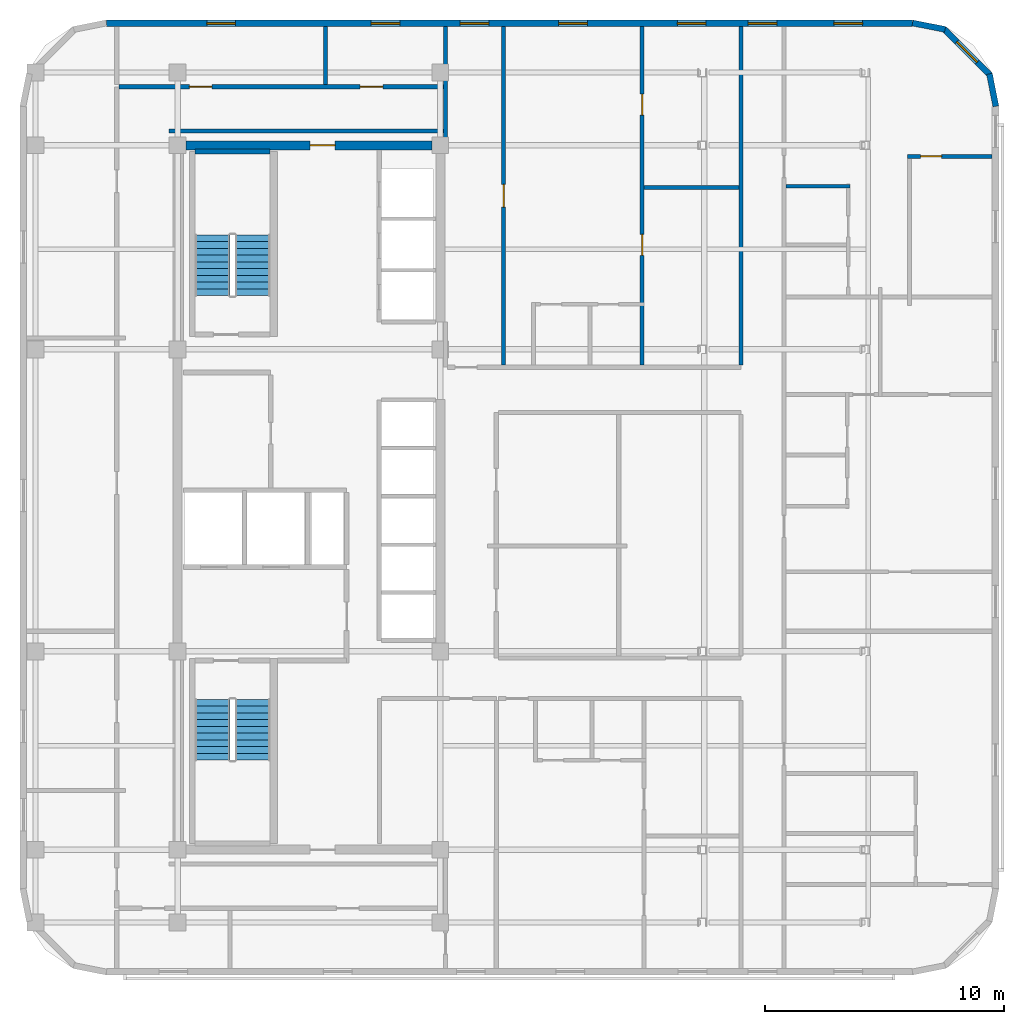
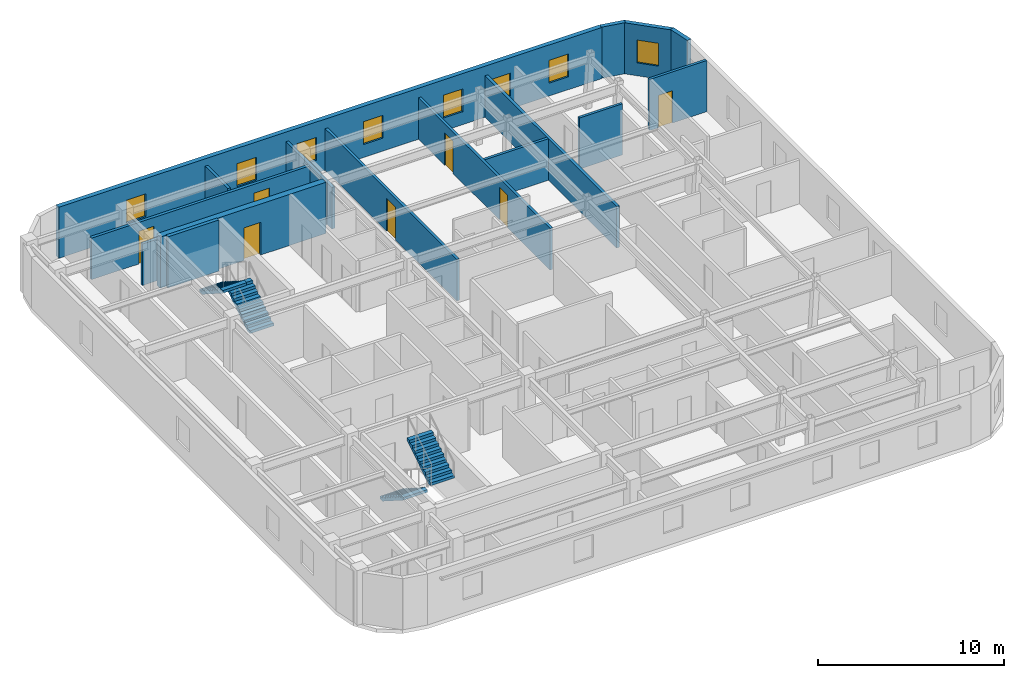
# One storey, part 6 of 10: 16 walls, 8 windows, 7 doors, 4 stair flights, 15 openings, 2 elements without a shape of their own.
"""IFC4 building model written with IfcOpenShell, lengths in metres."""

import ifcopenshell
import ifcopenshell.guid

model = None  # the IFC model being written
_history = None  # IfcOwnerHistory: only IFC2X3 demands one
_inside = {}  # id of a spatial element -> (the spatial element, [elements in it])
_under = {}  # id of a project, library or spatial element -> (it, [spatial elements below it])
_declared = {}  # id of a project -> (the project, [libraries it declares])
_typed = {}  # id of a type object -> (the type object, [elements of that type])
_made_of = {}  # id of a material, layer set ... -> (it, [elements and type objects made of it])


def new_model(schema):
    """Start an empty IFC model of exactly this schema.

    Asked for "IFC4X3", IfcOpenShell would pick the latest addendum, in which some entities
    have other attributes; the version numbers below select the first issue.
    IFC2X3 requires an IfcOwnerHistory on every rooted entity: one is made here for all.
    """
    global model, _history
    if schema == "IFC4X3":
        model = ifcopenshell.file(schema_version=(4, 3, 0, 0))
    else:
        model = ifcopenshell.file(schema=schema)
    _inside.clear()
    _under.clear()
    _declared.clear()
    _typed.clear()
    _made_of.clear()
    _history = None
    if model.schema == "IFC2X3":
        org = make("IfcOrganization", Name="unknown")
        user = make(
            "IfcPersonAndOrganization",
            ThePerson=make("IfcPerson", FamilyName="unknown"),
            TheOrganization=org,
        )
        app = make(
            "IfcApplication",
            ApplicationDeveloper=org,
            Version="unknown",
            ApplicationFullName="unknown",
            ApplicationIdentifier="unknown",
        )
        _history = make(
            "IfcOwnerHistory",
            OwningUser=user,
            OwningApplication=app,
            ChangeAction="ADDED",
            CreationDate=0,
        )
    return model


def make(cls, **values):
    """One entity of the class cls with the attributes given. An attribute that is None is left unset."""
    return model.create_entity(
        cls, **{name: value for name, value in values.items() if value is not None}
    )


def rooted(cls, **values):
    """An entity with a GlobalId (a new one), such as an element, a storey or a relation."""
    return make(cls, GlobalId=ifcopenshell.guid.new(), OwnerHistory=_history, **values)


def si_unit(unit_type, name, prefix=None):
    """IfcSIUnit, for example si_unit("LENGTHUNIT", "METRE", prefix="MILLI")."""
    return make("IfcSIUnit", UnitType=unit_type, Prefix=prefix, Name=name)


def assignment(units):
    """IfcUnitAssignment: the units of a project."""
    return None if units is None else make("IfcUnitAssignment", Units=units)


def point(xyz):
    """IfcCartesianPoint."""
    return None if xyz is None else make("IfcCartesianPoint", Coordinates=xyz)


def direction(xyz):
    """IfcDirection."""
    return None if xyz is None else make("IfcDirection", DirectionRatios=xyz)


def frame(location, z_axis=None, x_axis=None):
    """IfcAxis2Placement3D, a coordinate frame: its origin and axes. An axis left out is left unset."""
    return make(
        "IfcAxis2Placement3D",
        Location=point(location),
        Axis=direction(z_axis),
        RefDirection=direction(x_axis),
    )


def frame_2d(location, x_axis=None):
    """IfcAxis2Placement2D, a coordinate frame in the plane: its origin and x axis."""
    return make(
        "IfcAxis2Placement2D", Location=point(location), RefDirection=direction(x_axis)
    )


def origin():
    """The frame at (0, 0, 0) with its axes left unset."""
    return frame((0.0, 0.0, 0.0))


def place(relative_to, where):
    """IfcLocalPlacement: puts the frame where relative to a parent placement (None: the world)."""
    return make(
        "IfcLocalPlacement", PlacementRelTo=relative_to, RelativePlacement=where
    )


def context(
    kind, dimensions, precision=None, world=None, true_north=None, identifier=None
):
    """IfcGeometricRepresentationContext, for example the 3D "Model" context."""
    return make(
        "IfcGeometricRepresentationContext",
        ContextIdentifier=identifier,
        ContextType=kind,
        CoordinateSpaceDimension=dimensions,
        Precision=precision,
        WorldCoordinateSystem=world,
        TrueNorth=true_north,
    )


def subcontext(parent, identifier, kind, view, scale=None):
    """IfcGeometricRepresentationSubContext, for example "Body" below "Model"."""
    return make(
        "IfcGeometricRepresentationSubContext",
        ContextIdentifier=identifier,
        ContextType=kind,
        ParentContext=parent,
        TargetScale=scale,
        TargetView=view,
    )


def project(units=None, contexts=None):
    """IfcProject with its units and contexts."""
    return rooted(
        "IfcProject",
        Name="project",
        RepresentationContexts=contexts,
        UnitsInContext=assignment(units),
    )


def spatial(cls, under=None, at=None, **own):
    """A site, building, storey or space (cls), placed at a placement, below another one or the project."""
    s = rooted(cls, ObjectPlacement=at, **own)
    if under is not None:
        _under.setdefault(under.id(), (under, []))[1].append(s)
    return s


def polyline(points):
    """IfcPolyline through the points."""
    return make("IfcPolyline", Points=[point(p) for p in points])


def profile(cls, at=None, kind="AREA", **sizes):
    """A parametric profile (cls). Its sizes go by their IFC names, for example OverallWidth=200.0."""
    return make(cls, ProfileType=kind, Position=at, **sizes)


def rectangle(**sizes):
    """IfcRectangleProfileDef."""
    return profile("IfcRectangleProfileDef", **sizes)


def outline(outer, holes=None, kind="AREA"):
    """IfcArbitraryClosedProfileDef: a profile drawn as a closed curve; with holes, ...WithVoids."""
    if holes is None:
        return make("IfcArbitraryClosedProfileDef", ProfileType=kind, OuterCurve=outer)
    return make(
        "IfcArbitraryProfileDefWithVoids",
        ProfileType=kind,
        OuterCurve=outer,
        InnerCurves=holes,
    )


def extrude(swept, where, along, depth):
    """IfcExtrudedAreaSolid: the profile swept, set in the frame where, extruded along a direction by depth."""
    return make(
        "IfcExtrudedAreaSolid",
        SweptArea=swept,
        Position=where,
        ExtrudedDirection=direction(along),
        Depth=depth,
    )


def shape(context_of_items, identifier, shape_type, items):
    """IfcShapeRepresentation: the items that make up one representation, for example the "Body"."""
    return make(
        "IfcShapeRepresentation",
        ContextOfItems=context_of_items,
        RepresentationIdentifier=identifier,
        RepresentationType=shape_type,
        Items=items,
    )


def material(Name=None, Category=None):
    """IfcMaterial."""
    return make("IfcMaterial", Name=Name, Category=Category)


def layer(
    of_material, thickness, ventilated=None, Name=None, Category=None, Priority=None
):
    """IfcMaterialLayer: one layer of a wall or slab, of a material (None: an air gap)."""
    return make(
        "IfcMaterialLayer",
        Material=of_material,
        LayerThickness=thickness,
        IsVentilated=ventilated,
        Name=Name,
        Category=Category,
        Priority=Priority,
    )


def layer_set(layers, Name=None):
    """IfcMaterialLayerSet."""
    return make("IfcMaterialLayerSet", MaterialLayers=layers, LayerSetName=Name)


def made_of(thing, what):
    """Note that an element or type object is made of a material, layer set ...; save() writes the relation."""
    if what is not None:
        _made_of.setdefault(what.id(), (what, []))[1].append(thing)
    return thing


def type_object(cls, material=None, **own):
    """A type object (cls), such as IfcWallType, which elements share."""
    return made_of(rooted(cls, **own), material)


def element(
    cls,
    number,
    at=None,
    inside=None,
    cuts=None,
    type_object=None,
    material=None,
    context=None,
    identifier="Body",
    shape_type=None,
    held_by="IfcProductDefinitionShape",
    body=None,
    shapes=None,
    **own,
):
    """One element of the class cls, such as IfcWall. Its Tag is "e" and its number.

    at: its placement. inside: the storey or other place that contains it. cuts: it is an
    opening in that element (IfcRelVoidsElement). A single representation is given by context,
    identifier, shape_type and body (its items); several are given by shapes. held_by: the class
    of the entity that holds the representations. save() writes the other relations.
    """
    e = rooted(cls, Tag="e%d" % number, ObjectPlacement=at, **own)
    if body is not None:
        shapes = [shape(context, identifier, shape_type, body)]
    if shapes is not None:
        e.Representation = make(held_by, Representations=shapes)
    if inside is not None:
        _inside.setdefault(inside.id(), (inside, []))[1].append(e)
    if cuts is not None:
        rooted(
            "IfcRelVoidsElement", RelatingBuildingElement=cuts, RelatedOpeningElement=e
        )
    if type_object is not None:
        _typed.setdefault(type_object.id(), (type_object, []))[1].append(e)
    return made_of(e, material)


def fill(opening, filler):
    """IfcRelFillsElement: the door or window that sits in an opening."""
    return rooted(
        "IfcRelFillsElement",
        RelatingOpeningElement=opening,
        RelatedBuildingElement=filler,
    )


def aggregate(whole, parts):
    """IfcRelAggregates: a whole, such as a stair, and the parts it consists of."""
    return rooted("IfcRelAggregates", RelatingObject=whole, RelatedObjects=parts)


def save(model, path):
    """Write the relations noted so far, then the file.

    IfcRelAggregates (storeys below a building ...), IfcRelContainedInSpatialStructure (elements
    in a storey), IfcRelDefinesByType, IfcRelAssociatesMaterial and IfcRelDeclares: one each for
    every whole, place, type object, material and project.
    """
    for whole, parts in _under.values():
        aggregate(whole, parts)
    for where, things in _inside.values():
        rooted(
            "IfcRelContainedInSpatialStructure",
            RelatedElements=things,
            RelatingStructure=where,
        )
    for kind, things in _typed.values():
        rooted("IfcRelDefinesByType", RelatedObjects=things, RelatingType=kind)
    for what, things in _made_of.values():
        rooted("IfcRelAssociatesMaterial", RelatedObjects=things, RelatingMaterial=what)
    for by, libraries in _declared.values():
        rooted("IfcRelDeclares", RelatingContext=by, RelatedDefinitions=libraries)
    model.write(path)


model = new_model("IFC4")

# Units and contexts
model_context = context("Model", 3, precision=1e-05, world=origin(), true_north=direction((0.0, 1.0)))
body_context = subcontext(model_context, "Body", "Model", "MODEL_VIEW")
ifc_project = project(units=[si_unit("LENGTHUNIT", "METRE"), si_unit("AREAUNIT", "SQUARE_METRE"), si_unit("VOLUMEUNIT", "CUBIC_METRE"), si_unit("PLANEANGLEUNIT", "RADIAN"), si_unit("MASSUNIT", "GRAM", prefix="KILO")], contexts=[model_context])

# Site, building, storey
site_placement = place(None, origin())
site = spatial("IfcSite", under=ifc_project, at=site_placement, CompositionType="ELEMENT")
building_placement = place(site_placement, origin())
building = spatial("IfcBuilding", under=site, at=building_placement, Name="Ochreholt Gables", CompositionType="ELEMENT")
storey_placement = place(building_placement, frame((0.0, 0.0, 177.60009765625)))
storey = spatial("IfcBuildingStorey", under=building, at=storey_placement, Name="L46", CompositionType="ELEMENT", Elevation=177.60009765625)

# Wall, opening, door
ifc_material_1 = material(Name="Concrete 50 MPa", Category="concrete")
ifc_layer_1 = layer(ifc_material_1, 0.3798828125, Name="Concrete 50 MPa")
ifc_layer_set_1 = layer_set([ifc_layer_1], Name="Concrete 50 MPa")
wall_type_1 = type_object("IfcWallType", Name="WALL-CSW-380", PredefinedType="SHEAR", material=ifc_layer_set_1)
wall_1_placement = place(storey_placement, frame((24.550048828125, 38.75, 0.0), z_axis=(0.0, 0.0, 1.0), x_axis=(1.0, 0.0, 0.0)))
wall_1 = element("IfcWall", 1, at=wall_1_placement, inside=storey, type_object=wall_type_1, Name="L46 Core North Shear Wall", PredefinedType="SHEAR", context=body_context, shape_type="SweptSolid", body=[
    extrude(rectangle(XDim=10.300048828125, YDim=0.3798828125, at=frame_2d((5.14990234375, 0.0))), origin(), (0.0, 0.0, 1.0), 3.35986328125),
])
opening_1_placement = place(wall_1_placement, frame((5.199951171875, 0.0, 0.0)))
opening_1 = element("IfcOpeningElement", 2, at=opening_1_placement, cuts=wall_1, Name="Opening D-FLB", PredefinedType="OPENING", context=body_context, shape_type="SweptSolid", body=[
    extrude(rectangle(XDim=1.050048828125, YDim=2.14990234375, at=frame_2d((0.52490234375, 1.074951171875))), frame((0.0, 0.199951171875, 0.0), z_axis=(0.0, -1.0, 0.0), x_axis=(1.0, 0.0, 0.0)), (0.0, 0.0, 1.0), 0.39990234375),
])
ifc_material_2 = material(Name="Hollow Metal Steel", Category="steel")
door_type_1 = type_object("IfcDoorType", Name="DR-INT-FLB1050", OperationType="NOTDEFINED", PredefinedType="DOOR", material=ifc_material_2)
door_1_placement = place(opening_1_placement, frame((1.050048828125, 0.0, 0.0), z_axis=(0.0, 0.0, 1.0), x_axis=(-1.0, 0.0, 0.0)))
door_1 = element("IfcDoor", 3, at=door_1_placement, inside=storey, type_object=door_type_1, Name="L46 Door D-C2CRN-L46", OperationType="SINGLE_SWING_RIGHT", OverallHeight=2.14990234375, OverallWidth=1.050048828125, PredefinedType="DOOR", context=body_context, shape_type="SweptSolid", body=[
    extrude(rectangle(XDim=1.050048828125, YDim=2.14990234375, at=frame_2d((0.52490234375, 1.074951171875))), frame((0.0, 0.02490234375, 0.0), z_axis=(0.0, -1.0, 0.0), x_axis=(1.0, 0.0, 0.0)), (0.0, 0.0, 1.0), 0.050048828125),
])
fill(opening_1, door_1)

# Wall, openings, windows
ifc_material_3 = material(Name="Precast concrete 40 MPa", Category="concrete")
ifc_layer_2 = layer(ifc_material_3, 0.280029296875, Name="Precast concrete 40 MPa")
ifc_layer_set_2 = layer_set([ifc_layer_2], Name="Precast concrete 40 MPa")
wall_type_2 = type_object("IfcWallType", Name="WALL-EXT-280", PredefinedType="SOLIDWALL", material=ifc_layer_set_2)
wall_2_placement = place(storey_placement, frame((54.97998046875, 43.860107421875, 0.0), z_axis=(0.0, 0.0, 1.0), x_axis=(-1.0, 0.0, 0.0)))
wall_2 = element("IfcWall", 4, at=wall_2_placement, inside=storey, type_object=wall_type_2, Name="L46 North Exterior Wall", PredefinedType="SOLIDWALL", context=body_context, shape_type="SweptSolid", body=[
    extrude(rectangle(XDim=33.760009765625, YDim=0.280029296875, at=frame_2d((16.8798828125, 0.0))), origin(), (0.0, 0.0, 1.0), 3.35986328125),
])
opening_2_placement = place(wall_2_placement, frame((28.35498046875, 0.0, 0.85009765625)))
opening_2 = element("IfcOpeningElement", 5, at=opening_2_placement, cuts=wall_2, Name="Opening WN-3", PredefinedType="OPENING", context=body_context, shape_type="SweptSolid", body=[
    extrude(rectangle(XDim=1.199951171875, YDim=1.5, at=frame_2d((0.60009765625, 0.75))), frame((0.0, 0.14990234375, 0.0), z_axis=(0.0, -1.0, 0.0), x_axis=(1.0, 0.0, 0.0)), (0.0, 0.0, 1.0), 0.300048828125),
])
opening_3_placement = place(wall_2_placement, frame((21.469970703125, 0.0, 0.85009765625)))
opening_3 = element("IfcOpeningElement", 6, at=opening_3_placement, cuts=wall_2, Name="Opening WN-3", PredefinedType="OPENING", context=body_context, shape_type="SweptSolid", body=[
    extrude(rectangle(XDim=1.199951171875, YDim=1.5, at=frame_2d((0.60009765625, 0.75))), frame((0.0, 0.14990234375, 0.0), z_axis=(0.0, -1.0, 0.0), x_axis=(1.0, 0.0, 0.0)), (0.0, 0.0, 1.0), 0.300048828125),
])
opening_4_placement = place(wall_2_placement, frame((17.739990234375, 0.0, 0.85009765625)))
opening_4 = element("IfcOpeningElement", 7, at=opening_4_placement, cuts=wall_2, Name="Opening WN-3", PredefinedType="OPENING", context=body_context, shape_type="SweptSolid", body=[
    extrude(rectangle(XDim=1.199951171875, YDim=1.5, at=frame_2d((0.60009765625, 0.75))), frame((0.0, 0.14990234375, 0.0), z_axis=(0.0, -1.0, 0.0), x_axis=(1.0, 0.0, 0.0)), (0.0, 0.0, 1.0), 0.300048828125),
])
opening_5_placement = place(wall_2_placement, frame((13.6201171875, 0.0, 0.85009765625)))
opening_5 = element("IfcOpeningElement", 8, at=opening_5_placement, cuts=wall_2, Name="Opening WN-3", PredefinedType="OPENING", context=body_context, shape_type="SweptSolid", body=[
    extrude(rectangle(XDim=1.199951171875, YDim=1.5, at=frame_2d((0.60009765625, 0.75))), frame((0.0, 0.14990234375, 0.0), z_axis=(0.0, -1.0, 0.0), x_axis=(1.0, 0.0, 0.0)), (0.0, 0.0, 1.0), 0.300048828125),
])
opening_6_placement = place(wall_2_placement, frame((8.64990234375, 0.0, 0.85009765625)))
opening_6 = element("IfcOpeningElement", 9, at=opening_6_placement, cuts=wall_2, Name="Opening WN-3", PredefinedType="OPENING", context=body_context, shape_type="SweptSolid", body=[
    extrude(rectangle(XDim=1.199951171875, YDim=1.5, at=frame_2d((0.60009765625, 0.75))), frame((0.0, 0.14990234375, 0.0), z_axis=(0.0, -1.0, 0.0), x_axis=(1.0, 0.0, 0.0)), (0.0, 0.0, 1.0), 0.300048828125),
])
opening_7_placement = place(wall_2_placement, frame((5.679931640625, 0.0, 0.85009765625)))
opening_7 = element("IfcOpeningElement", 10, at=opening_7_placement, cuts=wall_2, Name="Opening WN-3", PredefinedType="OPENING", context=body_context, shape_type="SweptSolid", body=[
    extrude(rectangle(XDim=1.199951171875, YDim=1.5, at=frame_2d((0.60009765625, 0.75))), frame((0.0, 0.14990234375, 0.0), z_axis=(0.0, -1.0, 0.0), x_axis=(1.0, 0.0, 0.0)), (0.0, 0.0, 1.0), 0.300048828125),
])
opening_8_placement = place(wall_2_placement, frame((2.090087890625, 0.0, 0.85009765625)))
opening_8 = element("IfcOpeningElement", 11, at=opening_8_placement, cuts=wall_2, Name="Opening WN-3", PredefinedType="OPENING", context=body_context, shape_type="SweptSolid", body=[
    extrude(rectangle(XDim=1.199951171875, YDim=1.5, at=frame_2d((0.60009765625, 0.75))), frame((0.0, 0.14990234375, 0.0), z_axis=(0.0, -1.0, 0.0), x_axis=(1.0, 0.0, 0.0)), (0.0, 0.0, 1.0), 0.300048828125),
])
ifc_material_4 = material(Name="Triple-Glazed Thermally Broken Aluminium Window", Category="aluminium")
window_type = type_object("IfcWindowType", Name="WIN-RES-1200", PartitioningType="SINGLE_PANEL", PredefinedType="WINDOW", material=ifc_material_4)
window_1_placement = place(opening_2_placement, origin())
window_1 = element("IfcWindow", 12, at=window_1_placement, inside=storey, type_object=window_type, Name="L46 Window W-EXT-N-L46-1", OverallHeight=1.5, OverallWidth=1.199951171875, PartitioningType="SINGLE_PANEL", PredefinedType="WINDOW", context=body_context, shape_type="SweptSolid", body=[
    extrude(rectangle(XDim=1.199951171875, YDim=1.5, at=frame_2d((0.60009765625, 0.75))), frame((0.0, 0.030029296875, 0.0), z_axis=(0.0, -1.0, 0.0), x_axis=(1.0, 0.0, 0.0)), (0.0, 0.0, 1.0), 0.06005859375),
])
fill(opening_2, window_1)
window_2_placement = place(opening_3_placement, origin())
window_2 = element("IfcWindow", 13, at=window_2_placement, inside=storey, type_object=window_type, Name="L46 Window W-EXT-N-L46-2", OverallHeight=1.5, OverallWidth=1.199951171875, PartitioningType="SINGLE_PANEL", PredefinedType="WINDOW", context=body_context, shape_type="SweptSolid", body=[
    extrude(rectangle(XDim=1.199951171875, YDim=1.5, at=frame_2d((0.60009765625, 0.75))), frame((0.0, 0.030029296875, 0.0), z_axis=(0.0, -1.0, 0.0), x_axis=(1.0, 0.0, 0.0)), (0.0, 0.0, 1.0), 0.06005859375),
])
fill(opening_3, window_2)
window_3_placement = place(opening_4_placement, origin())
window_3 = element("IfcWindow", 14, at=window_3_placement, inside=storey, type_object=window_type, Name="L46 Window W-EXT-N-L46-3", OverallHeight=1.5, OverallWidth=1.199951171875, PartitioningType="SINGLE_PANEL", PredefinedType="WINDOW", context=body_context, shape_type="SweptSolid", body=[
    extrude(rectangle(XDim=1.199951171875, YDim=1.5, at=frame_2d((0.60009765625, 0.75))), frame((0.0, 0.030029296875, 0.0), z_axis=(0.0, -1.0, 0.0), x_axis=(1.0, 0.0, 0.0)), (0.0, 0.0, 1.0), 0.06005859375),
])
fill(opening_4, window_3)
window_4_placement = place(opening_5_placement, origin())
window_4 = element("IfcWindow", 15, at=window_4_placement, inside=storey, type_object=window_type, Name="L46 Window W-EXT-N-L46-4", OverallHeight=1.5, OverallWidth=1.199951171875, PartitioningType="SINGLE_PANEL", PredefinedType="WINDOW", context=body_context, shape_type="SweptSolid", body=[
    extrude(rectangle(XDim=1.199951171875, YDim=1.5, at=frame_2d((0.60009765625, 0.75))), frame((0.0, 0.030029296875, 0.0), z_axis=(0.0, -1.0, 0.0), x_axis=(1.0, 0.0, 0.0)), (0.0, 0.0, 1.0), 0.06005859375),
])
fill(opening_5, window_4)
window_5_placement = place(opening_6_placement, origin())
window_5 = element("IfcWindow", 16, at=window_5_placement, inside=storey, type_object=window_type, Name="L46 Window W-EXT-N-L46-5", OverallHeight=1.5, OverallWidth=1.199951171875, PartitioningType="SINGLE_PANEL", PredefinedType="WINDOW", context=body_context, shape_type="SweptSolid", body=[
    extrude(rectangle(XDim=1.199951171875, YDim=1.5, at=frame_2d((0.60009765625, 0.75))), frame((0.0, 0.030029296875, 0.0), z_axis=(0.0, -1.0, 0.0), x_axis=(1.0, 0.0, 0.0)), (0.0, 0.0, 1.0), 0.06005859375),
])
fill(opening_6, window_5)
window_6_placement = place(opening_7_placement, origin())
window_6 = element("IfcWindow", 17, at=window_6_placement, inside=storey, type_object=window_type, Name="L46 Window W-EXT-N-L46-6", OverallHeight=1.5, OverallWidth=1.199951171875, PartitioningType="SINGLE_PANEL", PredefinedType="WINDOW", context=body_context, shape_type="SweptSolid", body=[
    extrude(rectangle(XDim=1.199951171875, YDim=1.5, at=frame_2d((0.60009765625, 0.75))), frame((0.0, 0.030029296875, 0.0), z_axis=(0.0, -1.0, 0.0), x_axis=(1.0, 0.0, 0.0)), (0.0, 0.0, 1.0), 0.06005859375),
])
fill(opening_7, window_6)
window_7_placement = place(opening_8_placement, origin())
window_7 = element("IfcWindow", 18, at=window_7_placement, inside=storey, type_object=window_type, Name="L46 Window W-EXT-N-L46-7", OverallHeight=1.5, OverallWidth=1.199951171875, PartitioningType="SINGLE_PANEL", PredefinedType="WINDOW", context=body_context, shape_type="SweptSolid", body=[
    extrude(rectangle(XDim=1.199951171875, YDim=1.5, at=frame_2d((0.60009765625, 0.75))), frame((0.0, 0.030029296875, 0.0), z_axis=(0.0, -1.0, 0.0), x_axis=(1.0, 0.0, 0.0)), (0.0, 0.0, 1.0), 0.06005859375),
])
fill(opening_8, window_7)

# Wall
ifc_layer_3 = layer(ifc_material_3, 0.25, Name="Precast concrete 40 MPa")
ifc_layer_set_3 = layer_set([ifc_layer_3], Name="Precast concrete 40 MPa")
wall_type_3 = type_object("IfcWallType", Name="WALL-EXT-CNR", PredefinedType="SOLIDWALL", material=ifc_layer_set_3)
wall_3_placement = place(storey_placement, frame((58.475830078125, 40.383544921875, 0.0), z_axis=(0.0, 0.0, 1.0), x_axis=(-0.19496651342, 0.980809899341, 0.0)))
element("IfcWall", 19, at=wall_3_placement, inside=storey, type_object=wall_type_3, Name="L46 Rounded Corner Wall NE-1", PredefinedType="SOLIDWALL", context=body_context, shape_type="SweptSolid", body=[
    extrude(rectangle(XDim=1.388671875, YDim=0.25, at=frame_2d((0.6943359375, 0.0))), origin(), (0.0, 0.0, 1.0), 3.35986328125),
])

# Wall, opening, window
wall_4_placement = place(storey_placement, frame((58.23193359375, 41.695068359375, 0.0), z_axis=(0.0, 0.0, 1.0), x_axis=(-0.707106781187, 0.707106781187, 0.0)))
wall_4 = element("IfcWall", 20, at=wall_4_placement, inside=storey, type_object=wall_type_3, Name="L46 Rounded Corner Wall NE-2", PredefinedType="SOLIDWALL", context=body_context, shape_type="SweptSolid", body=[
    extrude(rectangle(XDim=2.7392578125, YDim=0.25, at=frame_2d((1.36962890625, 0.0))), origin(), (0.0, 0.0, 1.0), 3.35986328125),
])
opening_9_placement = place(wall_4_placement, frame((0.769775390625, 0.0, 0.85009765625)))
opening_9 = element("IfcOpeningElement", 21, at=opening_9_placement, cuts=wall_4, Name="Opening WN-3", PredefinedType="OPENING", context=body_context, shape_type="SweptSolid", body=[
    extrude(rectangle(XDim=1.199951171875, YDim=1.5, at=frame_2d((0.60009765625, 0.75))), frame((0.0, 0.135009765625, 0.0), z_axis=(0.0, -1.0, 0.0), x_axis=(1.0, 0.0, 0.0)), (0.0, 0.0, 1.0), 0.27001953125),
])
window_8_placement = place(opening_9_placement, origin())
window_8 = element("IfcWindow", 22, at=window_8_placement, inside=storey, type_object=window_type, Name="L46 Corner Bedroom Window NE", OverallHeight=1.5, OverallWidth=1.199951171875, PartitioningType="SINGLE_PANEL", PredefinedType="WINDOW", context=body_context, shape_type="SweptSolid", body=[
    extrude(rectangle(XDim=1.199951171875, YDim=1.5, at=frame_2d((0.60009765625, 0.75))), frame((0.0, 0.030029296875, 0.0), z_axis=(0.0, -1.0, 0.0), x_axis=(1.0, 0.0, 0.0)), (0.0, 0.0, 1.0), 0.06005859375),
])
fill(opening_9, window_8)

# Wall
wall_5_placement = place(storey_placement, frame((56.345458984375, 43.60498046875, 0.0), z_axis=(0.0, 0.0, 1.0), x_axis=(-0.980809899341, 0.19496651342, 0.0)))
element("IfcWall", 23, at=wall_5_placement, inside=storey, type_object=wall_type_3, Name="L46 Rounded Corner Wall NE-3", PredefinedType="SOLIDWALL", context=body_context, shape_type="SweptSolid", body=[
    extrude(rectangle(XDim=1.388671875, YDim=0.25, at=frame_2d((0.6943359375, 0.0))), origin(), (0.0, 0.0, 1.0), 3.35986328125),
])

# Wall, openings, doors
ifc_material_5 = material(Name="Fire-Rated Gypsum Acoustic Partition", Category="gypsum")
ifc_layer_4 = layer(ifc_material_5, 0.179931640625, Name="Fire-Rated Gypsum Acoustic Partition")
ifc_layer_set_4 = layer_set([ifc_layer_4], Name="Fire-Rated Gypsum Acoustic Partition")
wall_type_4 = type_object("IfcWallType", Name="WALL-INT-CR180", PredefinedType="STANDARD", material=ifc_layer_set_4)
wall_6_placement = place(storey_placement, frame((21.739990234375, 41.199951171875, 0.0), z_axis=(0.0, 0.0, 1.0), x_axis=(1.0, 0.0, 0.0)))
wall_6 = element("IfcWall", 24, at=wall_6_placement, inside=storey, type_object=wall_type_4, Name="L46 Interior Wall WI-C2WCN-L46", PredefinedType="STANDARD", context=body_context, shape_type="SweptSolid", body=[
    extrude(rectangle(XDim=13.679931640625, YDim=0.179931640625, at=frame_2d((6.83984375, 0.0))), origin(), (0.0, 0.0, 1.0), 2.72998046875),
])
opening_10_placement = place(wall_6_placement, frame((2.949951171875, 0.0, 0.0)))
opening_10 = element("IfcOpeningElement", 25, at=opening_10_placement, cuts=wall_6, Name="Opening D-GN1", PredefinedType="OPENING", context=body_context, shape_type="SweptSolid", body=[
    extrude(rectangle(XDim=0.949951171875, YDim=2.14990234375, at=frame_2d((0.47509765625, 1.074951171875))), frame((0.0, 0.099853515625, 0.0), z_axis=(0.0, -1.0, 0.0), x_axis=(1.0, 0.0, 0.0)), (0.0, 0.0, 1.0), 0.199951171875),
])
opening_11_placement = place(wall_6_placement, frame((10.110107421875, 0.0, 0.0)))
opening_11 = element("IfcOpeningElement", 26, at=opening_11_placement, cuts=wall_6, Name="Opening D-GN1", PredefinedType="OPENING", context=body_context, shape_type="SweptSolid", body=[
    extrude(rectangle(XDim=0.949951171875, YDim=2.14990234375, at=frame_2d((0.47509765625, 1.074951171875))), frame((0.0, 0.099853515625, 0.0), z_axis=(0.0, -1.0, 0.0), x_axis=(1.0, 0.0, 0.0)), (0.0, 0.0, 1.0), 0.199951171875),
])
ifc_material_6 = material(Name="Engineered Oak Timber", Category="wood")
door_type_2 = type_object("IfcDoorType", Name="DR-INT-GEN950", OperationType="NOTDEFINED", PredefinedType="DOOR", material=ifc_material_6)
door_2_placement = place(opening_10_placement, origin())
door_2 = element("IfcDoor", 27, at=door_2_placement, inside=storey, type_object=door_type_2, Name="L46 Door D-C2NRS1-L46", OperationType="SINGLE_SWING_RIGHT", OverallHeight=2.14990234375, OverallWidth=0.949951171875, PredefinedType="DOOR", context=body_context, shape_type="SweptSolid", body=[
    extrude(rectangle(XDim=0.949951171875, YDim=2.14990234375, at=frame_2d((0.47509765625, 1.074951171875))), frame((0.0, 0.02490234375, 0.0), z_axis=(0.0, -1.0, 0.0), x_axis=(1.0, 0.0, 0.0)), (0.0, 0.0, 1.0), 0.050048828125),
])
fill(opening_10, door_2)
door_3_placement = place(opening_11_placement, origin())
door_3 = element("IfcDoor", 28, at=door_3_placement, inside=storey, type_object=door_type_2, Name="L46 Door D-C2NRS2-L46", OperationType="SINGLE_SWING_LEFT", OverallHeight=2.14990234375, OverallWidth=0.949951171875, PredefinedType="DOOR", context=body_context, shape_type="SweptSolid", body=[
    extrude(rectangle(XDim=0.949951171875, YDim=2.14990234375, at=frame_2d((0.47509765625, 1.074951171875))), frame((0.0, 0.02490234375, 0.0), z_axis=(0.0, -1.0, 0.0), x_axis=(1.0, 0.0, 0.0)), (0.0, 0.0, 1.0), 0.050048828125),
])
fill(opening_11, door_3)

# Walls
wall_7_placement = place(storey_placement, frame((23.85009765625, 39.35009765625, 0.0), z_axis=(0.0, 0.0, 1.0), x_axis=(1.0, 0.0, 0.0)))
element("IfcWall", 29, at=wall_7_placement, inside=storey, type_object=wall_type_4, Name="L46 Interior Wall WI-C2WCN2-L46", PredefinedType="STANDARD", context=body_context, shape_type="SweptSolid", body=[
    extrude(rectangle(XDim=11.56982421875, YDim=0.179931640625, at=frame_2d((5.784912109375, 0.0))), origin(), (0.0, 0.0, 1.0), 2.72998046875),
])
wall_8_placement = place(storey_placement, frame((47.800048828125, 29.550048828125, 0.0), z_axis=(0.0, 0.0, 1.0), x_axis=(0.0, 1.0, 0.0)))
element("IfcWall", 30, at=wall_8_placement, inside=storey, type_object=wall_type_4, Name="L46 Interior Wall WI-C2FEGW3-L46", PredefinedType="STANDARD", context=body_context, shape_type="SweptSolid", body=[
    extrude(rectangle(XDim=14.169921875, YDim=0.179931640625, at=frame_2d((7.0849609375, 0.0))), origin(), (0.0, 0.0, 1.0), 2.72998046875),
])
ifc_material_7 = material(Name="Double-Stud Acoustic Demising Wall", Category="gypsum")
ifc_layer_5 = layer(ifc_material_7, 0.179931640625, Name="Double-Stud Acoustic Demising Wall")
ifc_layer_set_5 = layer_set([ifc_layer_5], Name="Double-Stud Acoustic Demising Wall")
wall_type_5 = type_object("IfcWallType", Name="WALL-INT-DM180", PredefinedType="PARTITIONING", material=ifc_layer_set_5)
wall_9_placement = place(storey_placement, frame((35.419921875, 38.75, 0.0), z_axis=(0.0, 0.0, 1.0), x_axis=(0.0, 1.0, 0.0)))
element("IfcWall", 31, at=wall_9_placement, inside=storey, type_object=wall_type_5, Name="L46 Interior Wall WI-C2NEN-L46", PredefinedType="PARTITIONING", context=body_context, shape_type="SweptSolid", body=[
    extrude(rectangle(XDim=4.969970703125, YDim=0.179931640625, at=frame_2d((2.48486328125, 0.0))), origin(), (0.0, 0.0, 1.0), 2.72998046875),
])
ifc_material_8 = material(Name="Moisture-Resistant Plumbing Chase Wall", Category="gypsum")
ifc_layer_6 = layer(ifc_material_8, 0.159912109375, Name="Moisture-Resistant Plumbing Chase Wall")
ifc_layer_set_6 = layer_set([ifc_layer_6], Name="Moisture-Resistant Plumbing Chase Wall")
wall_type_6 = type_object("IfcWallType", Name="WALL-INT-PL160", PredefinedType="PLUMBINGWALL", material=ifc_layer_set_6)
wall_10_placement = place(storey_placement, frame((49.68994140625, 37.0400390625, 0.0), z_axis=(0.0, 0.0, 1.0), x_axis=(1.0, 0.0, 0.0)))
element("IfcWall", 32, at=wall_10_placement, inside=storey, type_object=wall_type_6, Name="L46 Interior Wall WU-L46FE3-WYN", PredefinedType="PLUMBINGWALL", context=body_context, shape_type="SweptSolid", body=[
    extrude(rectangle(XDim=2.68212890625, YDim=0.159912109375, at=frame_2d((1.341064453125, 0.0))), origin(), (0.0, 0.0, 1.0), 3.35986328125),
])

# Wall, openings, doors
ifc_material_9 = material(Name="Gypsum Acoustic Stud Partition", Category="gypsum")
ifc_layer_7 = layer(ifc_material_9, 0.1650390625, Name="Gypsum Acoustic Stud Partition")
ifc_layer_set_7 = layer_set([ifc_layer_7], Name="Gypsum Acoustic Stud Partition")
wall_type_7 = type_object("IfcWallType", Name="WALL-INT-PT165", PredefinedType="PARTITIONING", material=ifc_layer_set_7)
wall_11_placement = place(storey_placement, frame((43.659912109375, 29.550048828125, 0.0), z_axis=(0.0, 0.0, 1.0), x_axis=(0.0, 1.0, 0.0)))
wall_11 = element("IfcWall", 33, at=wall_11_placement, inside=storey, type_object=wall_type_7, Name="L46 Interior Wall WU-L46N1-MNX", PredefinedType="PARTITIONING", context=body_context, shape_type="SweptSolid", body=[
    extrude(rectangle(XDim=14.169921875, YDim=0.1650390625, at=frame_2d((7.0849609375, 0.0))), origin(), (0.0, 0.0, 1.0), 2.72998046875),
])
opening_12_placement = place(wall_11_placement, frame((4.592529296875, 0.0, 0.0)))
opening_12 = element("IfcOpeningElement", 34, at=opening_12_placement, cuts=wall_11, Name="Opening D-BD2", PredefinedType="OPENING", context=body_context, shape_type="SweptSolid", body=[
    extrude(rectangle(XDim=0.8798828125, YDim=2.139892578125, at=frame_2d((0.43994140625, 1.06982421875))), frame((0.0, 0.092529296875, 0.0), z_axis=(0.0, -1.0, 0.0), x_axis=(1.0, 0.0, 0.0)), (0.0, 0.0, 1.0), 0.18505859375),
])
opening_13_placement = place(wall_11_placement, frame((10.469970703125, 0.0, 0.0)))
opening_13 = element("IfcOpeningElement", 35, at=opening_13_placement, cuts=wall_11, Name="Opening D-BD2", PredefinedType="OPENING", context=body_context, shape_type="SweptSolid", body=[
    extrude(rectangle(XDim=0.8798828125, YDim=2.139892578125, at=frame_2d((0.43994140625, 1.06982421875))), frame((0.0, 0.092529296875, 0.0), z_axis=(0.0, -1.0, 0.0), x_axis=(1.0, 0.0, 0.0)), (0.0, 0.0, 1.0), 0.18505859375),
])
door_type_3 = type_object("IfcDoorType", Name="DR-INT-BED880", OperationType="NOTDEFINED", PredefinedType="DOOR", material=ifc_material_6)
door_4_placement = place(opening_12_placement, origin())
door_4 = element("IfcDoor", 36, at=door_4_placement, inside=storey, type_object=door_type_3, Name="L46 Door D-U-L46N1-BD1", OperationType="SINGLE_SWING_LEFT", OverallHeight=2.139892578125, OverallWidth=0.8798828125, PredefinedType="DOOR", context=body_context, shape_type="SweptSolid", body=[
    extrude(rectangle(XDim=0.8798828125, YDim=2.139892578125, at=frame_2d((0.43994140625, 1.06982421875))), frame((0.0, 0.02490234375, 0.0), z_axis=(0.0, -1.0, 0.0), x_axis=(1.0, 0.0, 0.0)), (0.0, 0.0, 1.0), 0.050048828125),
])
fill(opening_12, door_4)
door_5_placement = place(opening_13_placement, origin())
door_5 = element("IfcDoor", 37, at=door_5_placement, inside=storey, type_object=door_type_3, Name="L46 Door D-U-L46N1-BD2", OperationType="SINGLE_SWING_RIGHT", OverallHeight=2.139892578125, OverallWidth=0.8798828125, PredefinedType="DOOR", context=body_context, shape_type="SweptSolid", body=[
    extrude(rectangle(XDim=0.8798828125, YDim=2.139892578125, at=frame_2d((0.43994140625, 1.06982421875))), frame((0.0, 0.02490234375, 0.0), z_axis=(0.0, -1.0, 0.0), x_axis=(1.0, 0.0, 0.0)), (0.0, 0.0, 1.0), 0.050048828125),
])
fill(opening_13, door_5)

# Wall, opening, door
wall_12_placement = place(storey_placement, frame((37.860107421875, 29.550048828125, 0.0), z_axis=(0.0, 0.0, 1.0), x_axis=(0.0, 1.0, 0.0)))
wall_12 = element("IfcWall", 38, at=wall_12_placement, inside=storey, type_object=wall_type_7, Name="L46 Interior Wall WU-L46N1-DNX", PredefinedType="PARTITIONING", context=body_context, shape_type="SweptSolid", body=[
    extrude(rectangle(XDim=14.169921875, YDim=0.1650390625, at=frame_2d((7.0849609375, 0.0))), origin(), (0.0, 0.0, 1.0), 2.72998046875),
])
opening_14_placement = place(wall_12_placement, frame((6.610107421875, 0.0, 0.0)))
opening_14 = element("IfcOpeningElement", 39, at=opening_14_placement, cuts=wall_12, Name="Opening D-GN1", PredefinedType="OPENING", context=body_context, shape_type="SweptSolid", body=[
    extrude(rectangle(XDim=0.949951171875, YDim=2.14990234375, at=frame_2d((0.47509765625, 1.074951171875))), frame((0.0, 0.092529296875, 0.0), z_axis=(0.0, -1.0, 0.0), x_axis=(1.0, 0.0, 0.0)), (0.0, 0.0, 1.0), 0.18505859375),
])
door_6_placement = place(opening_14_placement, origin())
door_6 = element("IfcDoor", 40, at=door_6_placement, inside=storey, type_object=door_type_2, Name="L46 Door D-U-L46N1-DIN", OperationType="SINGLE_SWING_RIGHT", OverallHeight=2.14990234375, OverallWidth=0.949951171875, PredefinedType="DOOR", context=body_context, shape_type="SweptSolid", body=[
    extrude(rectangle(XDim=0.949951171875, YDim=2.14990234375, at=frame_2d((0.47509765625, 1.074951171875))), frame((0.0, 0.02490234375, 0.0), z_axis=(0.0, -1.0, 0.0), x_axis=(1.0, 0.0, 0.0)), (0.0, 0.0, 1.0), 0.050048828125),
])
fill(opening_14, door_6)

# Wall
wall_13_placement = place(storey_placement, frame((43.739990234375, 36.97998046875, 0.0), z_axis=(0.0, 0.0, 1.0), x_axis=(1.0, 0.0, 0.0)))
element("IfcWall", 41, at=wall_13_placement, inside=storey, type_object=wall_type_7, Name="L46 Interior Wall WU-L46N1-RDV", PredefinedType="PARTITIONING", context=body_context, shape_type="SweptSolid", body=[
    extrude(rectangle(XDim=3.969970703125, YDim=0.1650390625, at=frame_2d((1.98486328125, 0.0))), origin(), (0.0, 0.0, 1.0), 2.72998046875),
])

# Wall, opening, door
wall_14_placement = place(storey_placement, frame((54.77001953125, 38.2900390625, 0.0), z_axis=(0.0, 0.0, 1.0), x_axis=(1.0, 0.0, 0.0)))
wall_14 = element("IfcWall", 42, at=wall_14_placement, inside=storey, type_object=wall_type_7, Name="L46 Interior Wall WU-L46FE3-STN", PredefinedType="PARTITIONING", context=body_context, shape_type="SweptSolid", body=[
    extrude(rectangle(XDim=3.550048828125, YDim=0.1650390625, at=frame_2d((1.77490234375, 0.0))), origin(), (0.0, 0.0, 1.0), 3.35986328125),
])
opening_15_placement = place(wall_14_placement, frame((0.550048828125, 0.0, 0.0)))
opening_15 = element("IfcOpeningElement", 43, at=opening_15_placement, cuts=wall_14, Name="Opening D-GN2", PredefinedType="OPENING", context=body_context, shape_type="SweptSolid", body=[
    extrude(rectangle(XDim=0.8798828125, YDim=2.1201171875, at=frame_2d((0.43994140625, 1.06005859375))), frame((0.0, 0.092529296875, 0.0), z_axis=(0.0, -1.0, 0.0), x_axis=(1.0, 0.0, 0.0)), (0.0, 0.0, 1.0), 0.18505859375),
])
door_type_4 = type_object("IfcDoorType", Name="DR-INT-GEN880", OperationType="NOTDEFINED", PredefinedType="DOOR", material=ifc_material_6)
door_7_placement = place(opening_15_placement, origin())
door_7 = element("IfcDoor", 44, at=door_7_placement, inside=storey, type_object=door_type_4, Name="L46 Door D-U-L46FE3-STD", OperationType="SINGLE_SWING_LEFT", OverallHeight=2.1201171875, OverallWidth=0.8798828125, PredefinedType="DOOR", context=body_context, shape_type="SweptSolid", body=[
    extrude(rectangle(XDim=0.8798828125, YDim=2.1201171875, at=frame_2d((0.43994140625, 1.06005859375))), frame((0.0, 0.02490234375, 0.0), z_axis=(0.0, -1.0, 0.0), x_axis=(1.0, 0.0, 0.0)), (0.0, 0.0, 1.0), 0.050048828125),
])
fill(opening_15, door_7)

# Walls
wall_15_placement = place(storey_placement, frame((30.39990234375, 41.2900390625, 0.0), z_axis=(0.0, 0.0, 1.0), x_axis=(0.0, 1.0, 0.0)))
element("IfcWall", 45, at=wall_15_placement, inside=storey, type_object=wall_type_7, Name="L46 Interior Wall WI-C2PKN-L46", PredefinedType="PARTITIONING", context=body_context, shape_type="SweptSolid", body=[
    extrude(rectangle(XDim=2.429931640625, YDim=0.1650390625, at=frame_2d((1.21484375, 0.0))), origin(), (0.0, 0.0, 1.0), 2.87890625),
])
ifc_layer_8 = layer(ifc_material_1, 0.219970703125, Name="Concrete 50 MPa")
ifc_layer_set_8 = layer_set([ifc_layer_8], Name="Concrete 50 MPa")
wall_type_8 = type_object("IfcWallType", Name="WALL-STW-220", PredefinedType="SHEAR", material=ifc_layer_set_8)
wall_16_placement = place(storey_placement, frame((24.919921875, 38.489990234375, 0.0), z_axis=(0.0, 0.0, 1.0), x_axis=(1.0, 0.0, 0.0)))
element("IfcWall", 46, at=wall_16_placement, inside=storey, type_object=wall_type_8, Name="L46 Exit Stair 2 North Wall", PredefinedType="SHEAR", context=body_context, shape_type="SweptSolid", body=[
    extrude(rectangle(XDim=3.16015625, YDim=0.219970703125, at=frame_2d((1.580078125, 0.0))), origin(), (0.0, 0.0, 1.0), 3.35986328125),
])

# Stair, stair flights
ifc_material_10 = material(Name="Concrete 40 MPa", Category="concrete")
stair_type_1 = type_object("IfcStairType", Name="STAIR-CORE-ST-1", PredefinedType="HALF_TURN_STAIR", material=ifc_material_10)
stair_1_placement = place(storey_placement, origin())
stair_1 = element("IfcStair", 47, at=stair_1_placement, inside=storey, type_object=stair_type_1, Name="L46 Core Exit Stair 1", PredefinedType="HALF_TURN_STAIR")
stair_flight_type = type_object("IfcStairFlightType", Name="FLIGHT-ST-1480-1800", PredefinedType="STRAIGHT", material=ifc_material_10)
stair_flight_1_placement = place(storey_placement, frame((25.659912109375, 15.5400390625, 0.0), z_axis=(0.0, 0.0, 1.0), x_axis=(0.0, -1.0, 0.0)))
stair_flight_1 = element("IfcStairFlight", 48, at=stair_flight_1_placement, type_object=stair_flight_type, Name="ST-1 flight 1", NumberOfRisers=10, NumberOfTreads=9, PredefinedType="STRAIGHT", RiserHeight=0.18, TreadLength=0.282, context=body_context, shape_type="SweptSolid", body=[
    extrude(outline(polyline([(0.0, 0.0), (0.0, 0.179931640625), (0.281982421875, 0.179931640625), (0.281982421875, 0.360107421875), (0.56396484375, 0.360107421875), (0.56396484375, 0.5400390625), (0.845947265625, 0.5400390625), (0.845947265625, 0.719970703125), (1.1279296875, 0.719970703125), (1.1279296875, 0.89990234375), (1.409912109375, 0.89990234375), (1.409912109375, 1.080078125), (1.69189453125, 1.080078125), (1.69189453125, 1.260009765625), (1.97412109375, 1.260009765625), (1.97412109375, 1.43994140625), (2.256103515625, 1.43994140625), (2.256103515625, 1.6201171875), (2.5380859375, 1.6201171875), (2.5380859375, 1.800048828125), (2.5380859375, 1.442138671875), (0.278564453125, 0.0), (0.0, 0.0)])), frame((0.0, 0.739990234375, 0.0), z_axis=(0.0, -1.0, 0.0), x_axis=(1.0, 0.0, 0.0)), (0.0, 0.0, 1.0), 1.47998046875),
])
stair_flight_2_placement = place(storey_placement, frame((27.340087890625, 13.001953125, 1.7998046875), z_axis=(0.0, 0.0, 1.0), x_axis=(0.0, 1.0, 0.0)))
stair_flight_2 = element("IfcStairFlight", 49, at=stair_flight_2_placement, type_object=stair_flight_type, Name="ST-1 flight 2", NumberOfRisers=10, NumberOfTreads=9, PredefinedType="STRAIGHT", RiserHeight=0.18, TreadLength=0.282, context=body_context, shape_type="SweptSolid", body=[
    extrude(outline(polyline([(0.0, 0.0), (0.0, 0.179931640625), (0.281982421875, 0.179931640625), (0.281982421875, 0.360107421875), (0.56396484375, 0.360107421875), (0.56396484375, 0.5400390625), (0.845947265625, 0.5400390625), (0.845947265625, 0.719970703125), (1.1279296875, 0.719970703125), (1.1279296875, 0.89990234375), (1.409912109375, 0.89990234375), (1.409912109375, 1.080078125), (1.69189453125, 1.080078125), (1.69189453125, 1.260009765625), (1.97412109375, 1.260009765625), (1.97412109375, 1.43994140625), (2.256103515625, 1.43994140625), (2.256103515625, 1.6201171875), (2.5380859375, 1.6201171875), (2.5380859375, 1.800048828125), (2.5380859375, 1.442138671875), (0.278564453125, 0.0), (0.0, 0.0)])), frame((0.0, 0.739990234375, 0.0), z_axis=(0.0, -1.0, 0.0), x_axis=(1.0, 0.0, 0.0)), (0.0, 0.0, 1.0), 1.47998046875),
])
aggregate(stair_1, [stair_flight_1, stair_flight_2])

stair_type_2 = type_object("IfcStairType", Name="STAIR-CORE-ST-2", PredefinedType="HALF_TURN_STAIR", material=ifc_material_10)
stair_2_placement = place(storey_placement, origin())
stair_2 = element("IfcStair", 50, at=stair_2_placement, inside=storey, type_object=stair_type_2, Name="L46 Core Exit Stair 2", PredefinedType="HALF_TURN_STAIR")
stair_flight_3_placement = place(storey_placement, frame((27.340087890625, 32.4599609375, 0.0), z_axis=(0.0, 0.0, 1.0), x_axis=(0.0, 1.0, 0.0)))
stair_flight_3 = element("IfcStairFlight", 51, at=stair_flight_3_placement, type_object=stair_flight_type, Name="ST-2 flight 1", NumberOfRisers=10, NumberOfTreads=9, PredefinedType="STRAIGHT", RiserHeight=0.18, TreadLength=0.282, context=body_context, shape_type="SweptSolid", body=[
    extrude(outline(polyline([(0.0, 0.0), (0.0, 0.179931640625), (0.281982421875, 0.179931640625), (0.281982421875, 0.360107421875), (0.56396484375, 0.360107421875), (0.56396484375, 0.5400390625), (0.845947265625, 0.5400390625), (0.845947265625, 0.719970703125), (1.1279296875, 0.719970703125), (1.1279296875, 0.89990234375), (1.409912109375, 0.89990234375), (1.409912109375, 1.080078125), (1.69189453125, 1.080078125), (1.69189453125, 1.260009765625), (1.97412109375, 1.260009765625), (1.97412109375, 1.43994140625), (2.256103515625, 1.43994140625), (2.256103515625, 1.6201171875), (2.5380859375, 1.6201171875), (2.5380859375, 1.800048828125), (2.5380859375, 1.442138671875), (0.278564453125, 0.0), (0.0, 0.0)])), frame((0.0, 0.739990234375, 0.0), z_axis=(0.0, -1.0, 0.0), x_axis=(1.0, 0.0, 0.0)), (0.0, 0.0, 1.0), 1.47998046875),
])
stair_flight_4_placement = place(storey_placement, frame((25.659912109375, 34.998046875, 1.7998046875), z_axis=(0.0, 0.0, 1.0), x_axis=(0.0, -1.0, 0.0)))
stair_flight_4 = element("IfcStairFlight", 52, at=stair_flight_4_placement, type_object=stair_flight_type, Name="ST-2 flight 2", NumberOfRisers=10, NumberOfTreads=9, PredefinedType="STRAIGHT", RiserHeight=0.18, TreadLength=0.282, context=body_context, shape_type="SweptSolid", body=[
    extrude(outline(polyline([(0.0, 0.0), (0.0, 0.179931640625), (0.281982421875, 0.179931640625), (0.281982421875, 0.360107421875), (0.56396484375, 0.360107421875), (0.56396484375, 0.5400390625), (0.845947265625, 0.5400390625), (0.845947265625, 0.719970703125), (1.1279296875, 0.719970703125), (1.1279296875, 0.89990234375), (1.409912109375, 0.89990234375), (1.409912109375, 1.080078125), (1.69189453125, 1.080078125), (1.69189453125, 1.260009765625), (1.97412109375, 1.260009765625), (1.97412109375, 1.43994140625), (2.256103515625, 1.43994140625), (2.256103515625, 1.6201171875), (2.5380859375, 1.6201171875), (2.5380859375, 1.800048828125), (2.5380859375, 1.442138671875), (0.278564453125, 0.0), (0.0, 0.0)])), frame((0.0, 0.739990234375, 0.0), z_axis=(0.0, -1.0, 0.0), x_axis=(1.0, 0.0, 0.0)), (0.0, 0.0, 1.0), 1.47998046875),
])
aggregate(stair_2, [stair_flight_3, stair_flight_4])

save(model, "model.ifc")
